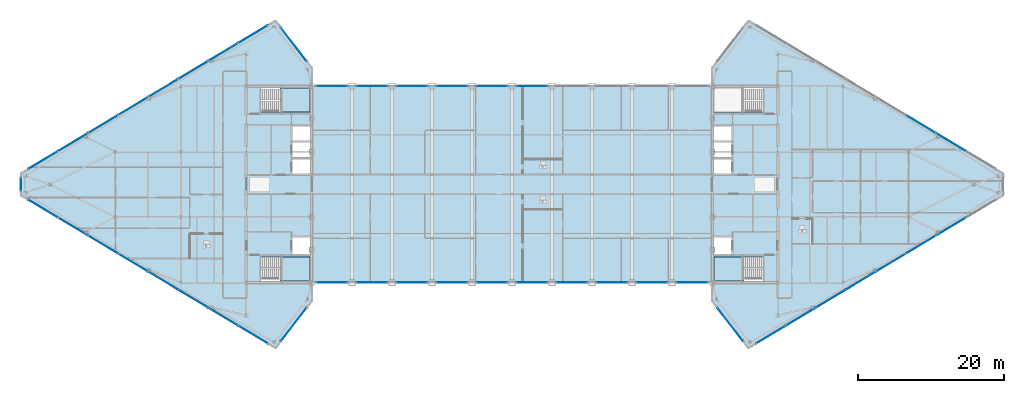
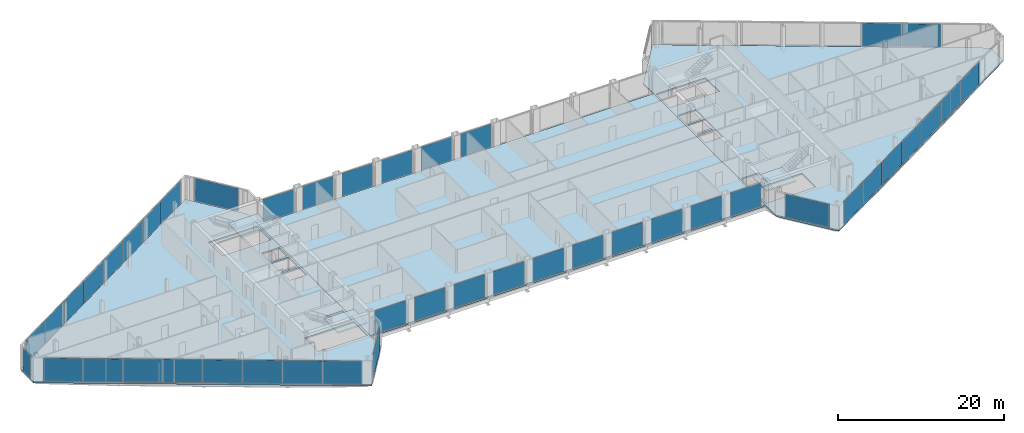
# One storey, part 19 of 29: 45 plates, 6 slabs, 27 elements without a shape of their own.
"""IFC4 building model written with IfcOpenShell, lengths in metres."""

from ifc_helpers import new_model, si_unit, direction, frame, origin, origin_2d, place, context, subcontext, project, spatial, polyline, rectangle, outline, extrude, source, transform, mapped, material, layer, layer_set, type_object, type_shapes, element, aggregate, save


model = new_model("IFC4")

# Units and contexts
model_context = context("Model", 3, precision=1e-05, world=origin(), true_north=direction((0.0, 1.0)))
body_context = subcontext(model_context, "Body", "Model", "MODEL_VIEW")
ifc_project = project(units=[si_unit("LENGTHUNIT", "METRE"), si_unit("AREAUNIT", "SQUARE_METRE"), si_unit("VOLUMEUNIT", "CUBIC_METRE"), si_unit("PLANEANGLEUNIT", "RADIAN"), si_unit("MASSUNIT", "GRAM", prefix="KILO")], contexts=[model_context])

# Site, building, storey
site_placement = place(None, origin())
site = spatial("IfcSite", under=ifc_project, at=site_placement, CompositionType="ELEMENT")
building_placement = place(site_placement, origin())
building = spatial("IfcBuilding", under=site, at=building_placement, Name="Seokmaru Belvedere", CompositionType="ELEMENT")
storey_placement = place(building_placement, frame((0.0, 0.0, 246.89990234375)))
storey = spatial("IfcBuildingStorey", under=building, at=storey_placement, Name="L65", CompositionType="ELEMENT", Elevation=246.89990234375)

# Stair, slab
ifc_material_1 = material(Name="Concrete C40 (40 MPa)", Category="concrete")
stair_type = type_object("IfcStairType", Name="Sky-Gate Residential Core Dog-Leg Stair 3750", PredefinedType="TWO_STRAIGHT_RUN_STAIR", material=ifc_material_1)
stair_1_placement = place(storey_placement, origin())
stair_1 = element("IfcStair", 1, at=stair_1_placement, inside=storey, type_object=stair_type, Name="L65 Special Escape Stair ST-W1", PredefinedType="TWO_STRAIGHT_RUN_STAIR")
ifc_layer_1 = layer(ifc_material_1, 0.199951171875)
ifc_layer_set_1 = layer_set([ifc_layer_1], Name="Concrete C40 (40 MPa)")
slab_type_1 = type_object("IfcSlabType", Name="Reinforced Concrete Stair Landing Slab 200", PredefinedType="LANDING", material=ifc_layer_set_1)
slab_1_placement = place(storey_placement, frame((0.0, 0.0, 1.675048828125)))
slab_1 = element("IfcSlab", 2, at=slab_1_placement, type_object=slab_type_1, Name="ST-W1 landing 1", PredefinedType="LANDING", context=body_context, shape_type="SweptSolid", body=[
    extrude(outline(polyline([(-31.8798828125, -13.239990234375), (-27.760009765625, -13.239990234375), (-27.760009765625, -9.949951171875), (-31.8798828125, -9.949951171875), (-31.8798828125, -13.239990234375)])), origin(), (0.0, 0.0, 1.0), 0.199951171875),
])
aggregate(stair_1, [slab_1])

stair_2_placement = place(storey_placement, origin())
stair_2 = element("IfcStair", 3, at=stair_2_placement, inside=storey, type_object=stair_type, Name="L65 Special Escape Stair ST-W2", PredefinedType="TWO_STRAIGHT_RUN_STAIR")
slab_2_placement = place(storey_placement, frame((0.0, 0.0, 1.675048828125)))
slab_2 = element("IfcSlab", 4, at=slab_2_placement, type_object=slab_type_1, Name="ST-W2 landing 1", PredefinedType="LANDING", context=body_context, shape_type="SweptSolid", body=[
    extrude(outline(polyline([(-31.8798828125, 9.949951171875), (-27.760009765625, 9.949951171875), (-27.760009765625, 13.239990234375), (-31.8798828125, 13.239990234375), (-31.8798828125, 9.949951171875)])), origin(), (0.0, 0.0, 1.0), 0.199951171875),
])
aggregate(stair_2, [slab_2])

stair_3_placement = place(storey_placement, origin())
stair_3 = element("IfcStair", 5, at=stair_3_placement, inside=storey, type_object=stair_type, Name="L65 Special Escape Stair ST-E1", PredefinedType="TWO_STRAIGHT_RUN_STAIR")
slab_3_placement = place(storey_placement, frame((0.0, 0.0, 1.675048828125)))
slab_3 = element("IfcSlab", 6, at=slab_3_placement, type_object=slab_type_1, Name="ST-E1 landing 1", PredefinedType="LANDING", context=body_context, shape_type="SweptSolid", body=[
    extrude(outline(polyline([(27.760009765625, -13.239990234375), (31.8798828125, -13.239990234375), (31.8798828125, -9.949951171875), (27.760009765625, -9.949951171875), (27.760009765625, -13.239990234375)])), origin(), (0.0, 0.0, 1.0), 0.199951171875),
])
aggregate(stair_3, [slab_3])

# Slabs
ifc_layer_2 = layer(ifc_material_1, 0.219970703125)
ifc_layer_set_2 = layer_set([ifc_layer_2], Name="Concrete C40 (40 MPa)")
slab_type_2 = type_object("IfcSlabType", Name="Typical Tower Composite Floor Slab 220", PredefinedType="FLOOR", material=ifc_layer_set_2)
slab_4_placement = place(storey_placement, frame((0.0, 0.0, -0.219970703125)))
element("IfcSlab", 7, at=slab_4_placement, inside=storey, type_object=slab_type_2, Name="L65 West Leg Floor Slab", PredefinedType="FLOOR", context=body_context, shape_type="SweptSolid", body=[
    extrude(outline(polyline([(-27.5, -16.0), (-27.5, 16.0), (-32.5, 22.5), (-67.5, 1.5), (-67.5, -1.5), (-32.5, -22.5), (-27.5, -16.0)]), holes=[polyline([(-34.60009765625, -13.25), (-27.75, -13.25), (-27.75, -9.949951171875), (-34.60009765625, -9.949951171875), (-34.60009765625, -13.25)]), polyline([(-34.60009765625, 9.949951171875), (-27.75, 9.949951171875), (-27.75, 13.25), (-34.60009765625, 13.25), (-34.60009765625, 9.949951171875)]), polyline([(-30.14990234375, -9.550048828125), (-27.75, -9.550048828125), (-27.75, -7.25), (-30.14990234375, -7.25), (-30.14990234375, -9.550048828125)]), polyline([(-30.14990234375, 1.449951171875), (-27.75, 1.449951171875), (-27.75, 3.449951171875), (-30.14990234375, 3.449951171875), (-30.14990234375, 1.449951171875)]), polyline([(-30.14990234375, 3.75), (-27.75, 3.75), (-27.75, 5.75), (-30.14990234375, 5.75), (-30.14990234375, 3.75)]), polyline([(-30.14990234375, 6.050048828125), (-27.75, 6.050048828125), (-27.75, 8.050048828125), (-30.14990234375, 8.050048828125), (-30.14990234375, 6.050048828125)])]), origin(), (0.0, 0.0, 1.0), 0.219970703125),
])
slab_5_placement = place(storey_placement, frame((0.0, 0.0, -0.219970703125)))
element("IfcSlab", 8, at=slab_5_placement, inside=storey, type_object=slab_type_2, Name="L65 East Leg Floor Slab", PredefinedType="FLOOR", context=body_context, shape_type="SweptSolid", body=[
    extrude(outline(polyline([(32.5, -22.5), (67.5, -1.5), (67.5, 1.5), (32.5, 22.5), (27.5, 16.0), (27.5, -16.0), (32.5, -22.5)]), holes=[polyline([(27.75, -13.25), (34.60009765625, -13.25), (34.60009765625, -9.949951171875), (27.75, -9.949951171875), (27.75, -13.25)]), polyline([(27.75, 9.949951171875), (34.60009765625, 9.949951171875), (34.60009765625, 13.25), (27.75, 13.25), (27.75, 9.949951171875)]), polyline([(27.75, -9.550048828125), (30.14990234375, -9.550048828125), (30.14990234375, -7.25), (27.75, -7.25), (27.75, -9.550048828125)]), polyline([(27.75, 1.449951171875), (30.14990234375, 1.449951171875), (30.14990234375, 3.449951171875), (27.75, 3.449951171875), (27.75, 1.449951171875)]), polyline([(27.75, 3.75), (30.14990234375, 3.75), (30.14990234375, 5.75), (27.75, 5.75), (27.75, 3.75)]), polyline([(27.75, 6.050048828125), (30.14990234375, 6.050048828125), (30.14990234375, 8.050048828125), (27.75, 8.050048828125), (27.75, 6.050048828125)])]), origin(), (0.0, 0.0, 1.0), 0.219970703125),
])
slab_6_placement = place(storey_placement, frame((0.0, 0.0, -0.219970703125)))
element("IfcSlab", 9, at=slab_6_placement, inside=storey, type_object=slab_type_2, Name="L65 Sky-Gate Bridge Floor Slab", PredefinedType="FLOOR", context=body_context, shape_type="SweptSolid", body=[
    extrude(outline(polyline([(-27.5, -13.5), (27.5, -13.5), (27.5, 13.5), (-27.5, 13.5), (-27.5, -13.5)])), origin(), (0.0, 0.0, 1.0), 0.219970703125),
])

# Curtain wall, plate
ifc_material_2 = material(Name="Bronze Triple Insulating Glass", Category="glass")
ifc_layer_3 = layer(ifc_material_2, 0.219970703125)
ifc_layer_set_3 = layer_set([ifc_layer_3], Name="Bronze Triple Insulating Glass")
curtain_wall_type = type_object("IfcCurtainWallType", Name="Sky-Gate Bridge Panorama Curtain Wall System CW-6", PredefinedType="NOTDEFINED", material=ifc_layer_set_3)
curtain_wall_1_placement = place(storey_placement, origin())
curtain_wall_1 = element("IfcCurtainWall", 10, at=curtain_wall_1_placement, inside=storey, type_object=curtain_wall_type, Name="L65 Curtain Wall WF2", PredefinedType="NOTDEFINED")
ifc_layer_4 = layer(ifc_material_2, 0.0419921875)
ifc_layer_set_4 = layer_set([ifc_layer_4], Name="Bronze Triple Insulating Glass")
plate_type = type_object("IfcPlateType", Name="Acoustic Laminated Panorama Glazing Panel 42", PredefinedType="CURTAIN_PANEL", material=ifc_layer_set_4)
shared_shape_1 = source(origin(), body_context, "Body", "SweptSolid", [
    extrude(rectangle(XDim=5.740478515625, YDim=0.0419921875, at=origin_2d()), origin(), (0.0, 0.0, 1.0), 3.3798828125),
])
plate_1_placement = place(storey_placement, frame((-30.0, 19.25, 0.0751953125), z_axis=(0.0, 0.0, 1.0), x_axis=(-0.609701187349, 0.792631353244, 0.0)))
plate_1 = element("IfcPlate", 11, at=plate_1_placement, type_object=plate_type, Name="CW:L65:WF2 Glazing Panel 1-1", PredefinedType="CURTAIN_PANEL", context=body_context, shape_type="MappedRepresentation", body=[
    mapped(shared_shape_1, transform((0.0, 0.0, 0.0), scale=1.0)),
])
aggregate(curtain_wall_1, [plate_1])

curtain_wall_2_placement = place(storey_placement, origin())
curtain_wall_2 = element("IfcCurtainWall", 12, at=curtain_wall_2_placement, inside=storey, type_object=curtain_wall_type, Name="L65 Curtain Wall WF6", PredefinedType="NOTDEFINED")
plate_2_placement = place(storey_placement, frame((-30.0, -19.25, 0.0751953125), z_axis=(0.0, 0.0, 1.0), x_axis=(0.609701187349, 0.792631353244, 0.0)))
plate_2 = element("IfcPlate", 13, at=plate_2_placement, type_object=plate_type, Name="CW:L65:WF6 Glazing Panel 1-1", PredefinedType="CURTAIN_PANEL", context=body_context, shape_type="MappedRepresentation", body=[
    mapped(shared_shape_1, transform((0.0, 0.0, 0.0), scale=1.0)),
])
aggregate(curtain_wall_2, [plate_2])

curtain_wall_3_placement = place(storey_placement, origin())
curtain_wall_3 = element("IfcCurtainWall", 14, at=curtain_wall_3_placement, inside=storey, type_object=curtain_wall_type, Name="L65 Curtain Wall EF6", PredefinedType="NOTDEFINED")
plate_3_placement = place(storey_placement, frame((30.0, -19.25, 0.0751953125), z_axis=(0.0, 0.0, 1.0), x_axis=(0.609701187349, -0.792631353244, 0.0)))
plate_3 = element("IfcPlate", 15, at=plate_3_placement, type_object=plate_type, Name="CW:L65:EF6 Glazing Panel 1-1", PredefinedType="CURTAIN_PANEL", context=body_context, shape_type="MappedRepresentation", body=[
    mapped(shared_shape_1, transform((0.0, 0.0, 0.0), scale=1.0)),
])
aggregate(curtain_wall_3, [plate_3])

# Curtain wall, plates
curtain_wall_4_placement = place(storey_placement, origin())
curtain_wall_4 = element("IfcCurtainWall", 16, at=curtain_wall_4_placement, inside=storey, type_object=curtain_wall_type, Name="L65 Curtain Wall WF3", PredefinedType="NOTDEFINED")
shared_shape_2 = source(origin(), body_context, "Body", "SweptSolid", [
    extrude(rectangle(XDim=4.694580078125, YDim=0.0419921875, at=origin_2d()), origin(), (0.0, 0.0, 1.0), 3.3798828125),
])
plate_4_placement = place(storey_placement, frame((-35.5673828125, 20.659423828125, 0.0751953125), z_axis=(0.0, 0.0, 1.0), x_axis=(-0.85749343335, -0.514494909364, 0.0)))
plate_4 = element("IfcPlate", 17, at=plate_4_placement, type_object=plate_type, Name="CW:L65:WF3 Glazing Panel 1-1", PredefinedType="CURTAIN_PANEL", context=body_context, shape_type="MappedRepresentation", body=[
    mapped(shared_shape_2, transform((0.0, 0.0, 0.0), scale=1.0)),
])
plate_5_placement = place(storey_placement, frame((-64.4326171875, 3.340576171875, 0.0751953125), z_axis=(0.0, 0.0, 1.0), x_axis=(-0.85749343335, -0.514494909364, 0.0)))
plate_5 = element("IfcPlate", 18, at=plate_5_placement, type_object=plate_type, Name="CW:L65:WF3 Glazing Panel 8-1", PredefinedType="CURTAIN_PANEL", context=body_context, shape_type="MappedRepresentation", body=[
    mapped(shared_shape_2, transform((0.0, 0.0, 0.0), scale=1.0)),
])

curtain_wall_5_placement = place(storey_placement, origin())
curtain_wall_5 = element("IfcCurtainWall", 19, at=curtain_wall_5_placement, inside=storey, type_object=curtain_wall_type, Name="L65 Curtain Wall WF5", PredefinedType="NOTDEFINED")
plate_6_placement = place(storey_placement, frame((-64.4326171875, -3.340576171875, 0.0751953125), z_axis=(0.0, 0.0, 1.0), x_axis=(0.85749343335, -0.514494909364, 0.0)))
plate_6 = element("IfcPlate", 20, at=plate_6_placement, type_object=plate_type, Name="CW:L65:WF5 Glazing Panel 1-1", PredefinedType="CURTAIN_PANEL", context=body_context, shape_type="MappedRepresentation", body=[
    mapped(shared_shape_2, transform((0.0, 0.0, 0.0), scale=1.0)),
])
plate_7_placement = place(storey_placement, frame((-35.5673828125, -20.659423828125, 0.0751953125), z_axis=(0.0, 0.0, 1.0), x_axis=(0.85749343335, -0.514494909364, 0.0)))
plate_7 = element("IfcPlate", 21, at=plate_7_placement, type_object=plate_type, Name="CW:L65:WF5 Glazing Panel 8-1", PredefinedType="CURTAIN_PANEL", context=body_context, shape_type="MappedRepresentation", body=[
    mapped(shared_shape_2, transform((0.0, 0.0, 0.0), scale=1.0)),
])

# Curtain wall, plate
curtain_wall_6_placement = place(storey_placement, origin())
curtain_wall_6 = element("IfcCurtainWall", 22, at=curtain_wall_6_placement, inside=storey, type_object=curtain_wall_type, Name="L65 Curtain Wall EF1", PredefinedType="NOTDEFINED")
plate_8_placement = place(storey_placement, frame((35.5673828125, -20.659423828125, 0.0751953125), z_axis=(0.0, 0.0, 1.0), x_axis=(0.85749343335, 0.514494909364, 0.0)))
plate_8 = element("IfcPlate", 23, at=plate_8_placement, type_object=plate_type, Name="CW:L65:EF1 Glazing Panel 1-1", PredefinedType="CURTAIN_PANEL", context=body_context, shape_type="MappedRepresentation", body=[
    mapped(shared_shape_2, transform((0.0, 0.0, 0.0), scale=1.0)),
])

# Plate
shared_shape_3 = source(origin(), body_context, "Body", "SweptSolid", [
    extrude(rectangle(XDim=4.734619140625, YDim=0.0419921875, at=origin_2d()), origin(), (0.0, 0.0, 1.0), 3.3798828125),
])
plate_9_placement = place(storey_placement, frame((-39.6787109375, 18.192626953125, 0.0751953125), z_axis=(0.0, 0.0, 1.0), x_axis=(-0.85749343335, -0.514494909364, 0.0)))
plate_9 = element("IfcPlate", 24, at=plate_9_placement, type_object=plate_type, Name="CW:L65:WF3 Glazing Panel 2-1", PredefinedType="CURTAIN_PANEL", context=body_context, shape_type="MappedRepresentation", body=[
    mapped(shared_shape_3, transform((0.0, 0.0, 0.0), scale=1.0)),
])

plate_10_placement = place(storey_placement, frame((-43.807373046875, 15.715576171875, 0.0751953125), z_axis=(0.0, 0.0, 1.0), x_axis=(-0.85749343335, -0.514494909364, 0.0)))
plate_10 = element("IfcPlate", 25, at=plate_10_placement, type_object=plate_type, Name="CW:L65:WF3 Glazing Panel 3-1", PredefinedType="CURTAIN_PANEL", context=body_context, shape_type="MappedRepresentation", body=[
    mapped(shared_shape_3, transform((0.0, 0.0, 0.0), scale=1.0)),
])

plate_11_placement = place(storey_placement, frame((-47.935791015625, 13.238525390625, 0.0751953125), z_axis=(0.0, 0.0, 1.0), x_axis=(-0.85749343335, -0.514494909364, 0.0)))
plate_11 = element("IfcPlate", 26, at=plate_11_placement, type_object=plate_type, Name="CW:L65:WF3 Glazing Panel 4-1", PredefinedType="CURTAIN_PANEL", context=body_context, shape_type="MappedRepresentation", body=[
    mapped(shared_shape_3, transform((0.0, 0.0, 0.0), scale=1.0)),
])

plate_12_placement = place(storey_placement, frame((-52.064208984375, 10.761474609375, 0.0751953125), z_axis=(0.0, 0.0, 1.0), x_axis=(-0.85749343335, -0.514494909364, 0.0)))
plate_12 = element("IfcPlate", 27, at=plate_12_placement, type_object=plate_type, Name="CW:L65:WF3 Glazing Panel 5-1", PredefinedType="CURTAIN_PANEL", context=body_context, shape_type="MappedRepresentation", body=[
    mapped(shared_shape_3, transform((0.0, 0.0, 0.0), scale=1.0)),
])

plate_13_placement = place(storey_placement, frame((-56.192626953125, 8.284423828125, 0.0751953125), z_axis=(0.0, 0.0, 1.0), x_axis=(-0.85749343335, -0.514494909364, 0.0)))
plate_13 = element("IfcPlate", 28, at=plate_13_placement, type_object=plate_type, Name="CW:L65:WF3 Glazing Panel 6-1", PredefinedType="CURTAIN_PANEL", context=body_context, shape_type="MappedRepresentation", body=[
    mapped(shared_shape_3, transform((0.0, 0.0, 0.0), scale=1.0)),
])

plate_14_placement = place(storey_placement, frame((-60.3212890625, 5.807373046875, 0.0751953125), z_axis=(0.0, 0.0, 1.0), x_axis=(-0.85749343335, -0.514494909364, 0.0)))
plate_14 = element("IfcPlate", 29, at=plate_14_placement, type_object=plate_type, Name="CW:L65:WF3 Glazing Panel 7-1", PredefinedType="CURTAIN_PANEL", context=body_context, shape_type="MappedRepresentation", body=[
    mapped(shared_shape_3, transform((0.0, 0.0, 0.0), scale=1.0)),
])

aggregate(curtain_wall_4, [plate_4, plate_9, plate_10, plate_11, plate_12, plate_13, plate_14, plate_5])

plate_15_placement = place(storey_placement, frame((-60.3212890625, -5.807373046875, 0.0751953125), z_axis=(0.0, 0.0, 1.0), x_axis=(0.85749343335, -0.514494909364, 0.0)))
plate_15 = element("IfcPlate", 30, at=plate_15_placement, type_object=plate_type, Name="CW:L65:WF5 Glazing Panel 2-1", PredefinedType="CURTAIN_PANEL", context=body_context, shape_type="MappedRepresentation", body=[
    mapped(shared_shape_3, transform((0.0, 0.0, 0.0), scale=1.0)),
])

plate_16_placement = place(storey_placement, frame((-56.192626953125, -8.284423828125, 0.0751953125), z_axis=(0.0, 0.0, 1.0), x_axis=(0.85749343335, -0.514494909364, 0.0)))
plate_16 = element("IfcPlate", 31, at=plate_16_placement, type_object=plate_type, Name="CW:L65:WF5 Glazing Panel 3-1", PredefinedType="CURTAIN_PANEL", context=body_context, shape_type="MappedRepresentation", body=[
    mapped(shared_shape_3, transform((0.0, 0.0, 0.0), scale=1.0)),
])

plate_17_placement = place(storey_placement, frame((-52.064208984375, -10.761474609375, 0.0751953125), z_axis=(0.0, 0.0, 1.0), x_axis=(0.85749343335, -0.514494909364, 0.0)))
plate_17 = element("IfcPlate", 32, at=plate_17_placement, type_object=plate_type, Name="CW:L65:WF5 Glazing Panel 4-1", PredefinedType="CURTAIN_PANEL", context=body_context, shape_type="MappedRepresentation", body=[
    mapped(shared_shape_3, transform((0.0, 0.0, 0.0), scale=1.0)),
])

plate_18_placement = place(storey_placement, frame((-47.935791015625, -13.238525390625, 0.0751953125), z_axis=(0.0, 0.0, 1.0), x_axis=(0.85749343335, -0.514494909364, 0.0)))
plate_18 = element("IfcPlate", 33, at=plate_18_placement, type_object=plate_type, Name="CW:L65:WF5 Glazing Panel 5-1", PredefinedType="CURTAIN_PANEL", context=body_context, shape_type="MappedRepresentation", body=[
    mapped(shared_shape_3, transform((0.0, 0.0, 0.0), scale=1.0)),
])

plate_19_placement = place(storey_placement, frame((-43.807373046875, -15.715576171875, 0.0751953125), z_axis=(0.0, 0.0, 1.0), x_axis=(0.85749343335, -0.514494909364, 0.0)))
plate_19 = element("IfcPlate", 34, at=plate_19_placement, type_object=plate_type, Name="CW:L65:WF5 Glazing Panel 6-1", PredefinedType="CURTAIN_PANEL", context=body_context, shape_type="MappedRepresentation", body=[
    mapped(shared_shape_3, transform((0.0, 0.0, 0.0), scale=1.0)),
])

plate_20_placement = place(storey_placement, frame((-39.6787109375, -18.192626953125, 0.0751953125), z_axis=(0.0, 0.0, 1.0), x_axis=(0.85749343335, -0.514494909364, 0.0)))
plate_20 = element("IfcPlate", 35, at=plate_20_placement, type_object=plate_type, Name="CW:L65:WF5 Glazing Panel 7-1", PredefinedType="CURTAIN_PANEL", context=body_context, shape_type="MappedRepresentation", body=[
    mapped(shared_shape_3, transform((0.0, 0.0, 0.0), scale=1.0)),
])

aggregate(curtain_wall_5, [plate_6, plate_15, plate_16, plate_17, plate_18, plate_19, plate_20, plate_7])

plate_21_placement = place(storey_placement, frame((39.6787109375, -18.192626953125, 0.0751953125), z_axis=(0.0, 0.0, 1.0), x_axis=(0.85749343335, 0.514494909364, 0.0)))
plate_21 = element("IfcPlate", 36, at=plate_21_placement, type_object=plate_type, Name="CW:L65:EF1 Glazing Panel 2-1", PredefinedType="CURTAIN_PANEL", context=body_context, shape_type="MappedRepresentation", body=[
    mapped(shared_shape_3, transform((0.0, 0.0, 0.0), scale=1.0)),
])

plate_22_placement = place(storey_placement, frame((43.807373046875, -15.715576171875, 0.0751953125), z_axis=(0.0, 0.0, 1.0), x_axis=(0.85749343335, 0.514494909364, 0.0)))
plate_22 = element("IfcPlate", 37, at=plate_22_placement, type_object=plate_type, Name="CW:L65:EF1 Glazing Panel 3-1", PredefinedType="CURTAIN_PANEL", context=body_context, shape_type="MappedRepresentation", body=[
    mapped(shared_shape_3, transform((0.0, 0.0, 0.0), scale=1.0)),
])

plate_23_placement = place(storey_placement, frame((47.935791015625, -13.238525390625, 0.0751953125), z_axis=(0.0, 0.0, 1.0), x_axis=(0.85749343335, 0.514494909364, 0.0)))
plate_23 = element("IfcPlate", 38, at=plate_23_placement, type_object=plate_type, Name="CW:L65:EF1 Glazing Panel 4-1", PredefinedType="CURTAIN_PANEL", context=body_context, shape_type="MappedRepresentation", body=[
    mapped(shared_shape_3, transform((0.0, 0.0, 0.0), scale=1.0)),
])

plate_24_placement = place(storey_placement, frame((52.064208984375, -10.761474609375, 0.0751953125), z_axis=(0.0, 0.0, 1.0), x_axis=(0.85749343335, 0.514494909364, 0.0)))
plate_24 = element("IfcPlate", 39, at=plate_24_placement, type_object=plate_type, Name="CW:L65:EF1 Glazing Panel 5-1", PredefinedType="CURTAIN_PANEL", context=body_context, shape_type="MappedRepresentation", body=[
    mapped(shared_shape_3, transform((0.0, 0.0, 0.0), scale=1.0)),
])

plate_25_placement = place(storey_placement, frame((56.192626953125, -8.284423828125, 0.0751953125), z_axis=(0.0, 0.0, 1.0), x_axis=(0.85749343335, 0.514494909364, 0.0)))
plate_25 = element("IfcPlate", 40, at=plate_25_placement, type_object=plate_type, Name="CW:L65:EF1 Glazing Panel 6-1", PredefinedType="CURTAIN_PANEL", context=body_context, shape_type="MappedRepresentation", body=[
    mapped(shared_shape_3, transform((0.0, 0.0, 0.0), scale=1.0)),
])

plate_26_placement = place(storey_placement, frame((60.3212890625, -5.807373046875, 0.0751953125), z_axis=(0.0, 0.0, 1.0), x_axis=(0.85749343335, 0.514494909364, 0.0)))
plate_26 = element("IfcPlate", 41, at=plate_26_placement, type_object=plate_type, Name="CW:L65:EF1 Glazing Panel 7-1", PredefinedType="CURTAIN_PANEL", context=body_context, shape_type="MappedRepresentation", body=[
    mapped(shared_shape_3, transform((0.0, 0.0, 0.0), scale=1.0)),
])

aggregate(curtain_wall_6, [plate_8, plate_21, plate_22, plate_23, plate_24, plate_25, plate_26])

# Curtain wall, plates
curtain_wall_7_placement = place(storey_placement, origin())
curtain_wall_7 = element("IfcCurtainWall", 42, at=curtain_wall_7_placement, inside=storey, type_object=curtain_wall_type, Name="L65 Curtain Wall EF3", PredefinedType="NOTDEFINED")
plate_27_placement = place(storey_placement, frame((60.3212890625, 5.807373046875, 0.0751953125), z_axis=(0.0, 0.0, 1.0), x_axis=(-0.85749343335, 0.514494909364, 0.0)))
plate_27 = element("IfcPlate", 43, at=plate_27_placement, type_object=plate_type, Name="CW:L65:EF3 Glazing Panel 2-1", PredefinedType="CURTAIN_PANEL", context=body_context, shape_type="MappedRepresentation", body=[
    mapped(shared_shape_3, transform((0.0, 0.0, 0.0), scale=1.0)),
])
plate_28_placement = place(storey_placement, frame((56.192626953125, 8.284423828125, 0.0751953125), z_axis=(0.0, 0.0, 1.0), x_axis=(-0.85749343335, 0.514494909364, 0.0)))
plate_28 = element("IfcPlate", 44, at=plate_28_placement, type_object=plate_type, Name="CW:L65:EF3 Glazing Panel 3-1", PredefinedType="CURTAIN_PANEL", context=body_context, shape_type="MappedRepresentation", body=[
    mapped(shared_shape_3, transform((0.0, 0.0, 0.0), scale=1.0)),
])
aggregate(curtain_wall_7, [plate_27, plate_28])

# Curtain wall, plate
curtain_wall_8_placement = place(storey_placement, origin())
curtain_wall_8 = element("IfcCurtainWall", 45, at=curtain_wall_8_placement, inside=storey, type_object=curtain_wall_type, Name="L65 Curtain Wall WF4", PredefinedType="NOTDEFINED")
shared_shape_4 = source(origin(), body_context, "Body", "SweptSolid", [
    extrude(rectangle(XDim=1.739990234375, YDim=0.0419921875, at=origin_2d()), origin(), (0.0, 0.0, 1.0), 3.3798828125),
])
plate_29_placement = place(storey_placement, frame((-67.5, 0.0, 0.0751953125), z_axis=(0.0, 0.0, 1.0), x_axis=(0.0, -1.0, 0.0)))
plate_29 = element("IfcPlate", 46, at=plate_29_placement, type_object=plate_type, Name="CW:L65:WF4 Glazing Panel 1-1", PredefinedType="CURTAIN_PANEL", context=body_context, shape_type="MappedRepresentation", body=[
    mapped(shared_shape_4, transform((0.0, 0.0, 0.0), scale=1.0)),
])
aggregate(curtain_wall_8, [plate_29])

curtain_wall_9_placement = place(storey_placement, origin())
curtain_wall_9 = element("IfcCurtainWall", 47, at=curtain_wall_9_placement, inside=storey, type_object=curtain_wall_type, Name="L65 Curtain Wall BR_S01", PredefinedType="NOTDEFINED")
shared_shape_5 = source(origin(), body_context, "Body", "SweptSolid", [
    extrude(rectangle(XDim=4.239990234375, YDim=0.0419921875, at=origin_2d()), origin(), (0.0, 0.0, 1.0), 3.3798828125),
])
type_shapes(plate_type, [shared_shape_1, shared_shape_2, shared_shape_3, shared_shape_4, shared_shape_5])
plate_30_placement = place(storey_placement, frame((-24.75, -13.5, 0.0751953125), z_axis=(0.0, 0.0, 1.0), x_axis=(1.0, 0.0, 0.0)))
plate_30 = element("IfcPlate", 48, at=plate_30_placement, type_object=plate_type, Name="CW:L65:BR_S01 Glazing Panel 1-1", PredefinedType="CURTAIN_PANEL", context=body_context, shape_type="MappedRepresentation", body=[
    mapped(shared_shape_5, transform((0.0, 0.0, 0.0), scale=1.0)),
])
aggregate(curtain_wall_9, [plate_30])

curtain_wall_10_placement = place(storey_placement, origin())
curtain_wall_10 = element("IfcCurtainWall", 49, at=curtain_wall_10_placement, inside=storey, type_object=curtain_wall_type, Name="L65 Curtain Wall BR_N01", PredefinedType="NOTDEFINED")
plate_31_placement = place(storey_placement, frame((-24.75, 13.5, 0.0751953125), z_axis=(0.0, 0.0, 1.0), x_axis=(-1.0, 0.0, 0.0)))
plate_31 = element("IfcPlate", 50, at=plate_31_placement, type_object=plate_type, Name="CW:L65:BR_N01 Glazing Panel 1-1", PredefinedType="CURTAIN_PANEL", context=body_context, shape_type="MappedRepresentation", body=[
    mapped(shared_shape_5, transform((0.0, 0.0, 0.0), scale=1.0)),
])
aggregate(curtain_wall_10, [plate_31])

curtain_wall_11_placement = place(storey_placement, origin())
curtain_wall_11 = element("IfcCurtainWall", 51, at=curtain_wall_11_placement, inside=storey, type_object=curtain_wall_type, Name="L65 Curtain Wall BR_S02", PredefinedType="NOTDEFINED")
plate_32_placement = place(storey_placement, frame((-19.25, -13.5, 0.0751953125), z_axis=(0.0, 0.0, 1.0), x_axis=(1.0, 0.0, 0.0)))
plate_32 = element("IfcPlate", 52, at=plate_32_placement, type_object=plate_type, Name="CW:L65:BR_S02 Glazing Panel 1-1", PredefinedType="CURTAIN_PANEL", context=body_context, shape_type="MappedRepresentation", body=[
    mapped(shared_shape_5, transform((0.0, 0.0, 0.0), scale=1.0)),
])
aggregate(curtain_wall_11, [plate_32])

curtain_wall_12_placement = place(storey_placement, origin())
curtain_wall_12 = element("IfcCurtainWall", 53, at=curtain_wall_12_placement, inside=storey, type_object=curtain_wall_type, Name="L65 Curtain Wall BR_N02", PredefinedType="NOTDEFINED")
plate_33_placement = place(storey_placement, frame((-19.25, 13.5, 0.0751953125), z_axis=(0.0, 0.0, 1.0), x_axis=(-1.0, 0.0, 0.0)))
plate_33 = element("IfcPlate", 54, at=plate_33_placement, type_object=plate_type, Name="CW:L65:BR_N02 Glazing Panel 1-1", PredefinedType="CURTAIN_PANEL", context=body_context, shape_type="MappedRepresentation", body=[
    mapped(shared_shape_5, transform((0.0, 0.0, 0.0), scale=1.0)),
])
aggregate(curtain_wall_12, [plate_33])

curtain_wall_13_placement = place(storey_placement, origin())
curtain_wall_13 = element("IfcCurtainWall", 55, at=curtain_wall_13_placement, inside=storey, type_object=curtain_wall_type, Name="L65 Curtain Wall BR_S03", PredefinedType="NOTDEFINED")
plate_34_placement = place(storey_placement, frame((-13.75, -13.5, 0.0751953125), z_axis=(0.0, 0.0, 1.0), x_axis=(1.0, 0.0, 0.0)))
plate_34 = element("IfcPlate", 56, at=plate_34_placement, type_object=plate_type, Name="CW:L65:BR_S03 Glazing Panel 1-1", PredefinedType="CURTAIN_PANEL", context=body_context, shape_type="MappedRepresentation", body=[
    mapped(shared_shape_5, transform((0.0, 0.0, 0.0), scale=1.0)),
])
aggregate(curtain_wall_13, [plate_34])

curtain_wall_14_placement = place(storey_placement, origin())
curtain_wall_14 = element("IfcCurtainWall", 57, at=curtain_wall_14_placement, inside=storey, type_object=curtain_wall_type, Name="L65 Curtain Wall BR_N03", PredefinedType="NOTDEFINED")
plate_35_placement = place(storey_placement, frame((-13.75, 13.5, 0.0751953125), z_axis=(0.0, 0.0, 1.0), x_axis=(-1.0, 0.0, 0.0)))
plate_35 = element("IfcPlate", 58, at=plate_35_placement, type_object=plate_type, Name="CW:L65:BR_N03 Glazing Panel 1-1", PredefinedType="CURTAIN_PANEL", context=body_context, shape_type="MappedRepresentation", body=[
    mapped(shared_shape_5, transform((0.0, 0.0, 0.0), scale=1.0)),
])
aggregate(curtain_wall_14, [plate_35])

curtain_wall_15_placement = place(storey_placement, origin())
curtain_wall_15 = element("IfcCurtainWall", 59, at=curtain_wall_15_placement, inside=storey, type_object=curtain_wall_type, Name="L65 Curtain Wall BR_S04", PredefinedType="NOTDEFINED")
plate_36_placement = place(storey_placement, frame((-8.25, -13.5, 0.0751953125), z_axis=(0.0, 0.0, 1.0), x_axis=(1.0, 0.0, 0.0)))
plate_36 = element("IfcPlate", 60, at=plate_36_placement, type_object=plate_type, Name="CW:L65:BR_S04 Glazing Panel 1-1", PredefinedType="CURTAIN_PANEL", context=body_context, shape_type="MappedRepresentation", body=[
    mapped(shared_shape_5, transform((0.0, 0.0, 0.0), scale=1.0)),
])
aggregate(curtain_wall_15, [plate_36])

curtain_wall_16_placement = place(storey_placement, origin())
curtain_wall_16 = element("IfcCurtainWall", 61, at=curtain_wall_16_placement, inside=storey, type_object=curtain_wall_type, Name="L65 Curtain Wall BR_N04", PredefinedType="NOTDEFINED")
plate_37_placement = place(storey_placement, frame((-8.25, 13.5, 0.0751953125), z_axis=(0.0, 0.0, 1.0), x_axis=(-1.0, 0.0, 0.0)))
plate_37 = element("IfcPlate", 62, at=plate_37_placement, type_object=plate_type, Name="CW:L65:BR_N04 Glazing Panel 1-1", PredefinedType="CURTAIN_PANEL", context=body_context, shape_type="MappedRepresentation", body=[
    mapped(shared_shape_5, transform((0.0, 0.0, 0.0), scale=1.0)),
])
aggregate(curtain_wall_16, [plate_37])

curtain_wall_17_placement = place(storey_placement, origin())
curtain_wall_17 = element("IfcCurtainWall", 63, at=curtain_wall_17_placement, inside=storey, type_object=curtain_wall_type, Name="L65 Curtain Wall BR_S05", PredefinedType="NOTDEFINED")
plate_38_placement = place(storey_placement, frame((-2.75, -13.5, 0.0751953125), z_axis=(0.0, 0.0, 1.0), x_axis=(1.0, 0.0, 0.0)))
plate_38 = element("IfcPlate", 64, at=plate_38_placement, type_object=plate_type, Name="CW:L65:BR_S05 Glazing Panel 1-1", PredefinedType="CURTAIN_PANEL", context=body_context, shape_type="MappedRepresentation", body=[
    mapped(shared_shape_5, transform((0.0, 0.0, 0.0), scale=1.0)),
])
aggregate(curtain_wall_17, [plate_38])

curtain_wall_18_placement = place(storey_placement, origin())
curtain_wall_18 = element("IfcCurtainWall", 65, at=curtain_wall_18_placement, inside=storey, type_object=curtain_wall_type, Name="L65 Curtain Wall BR_N05", PredefinedType="NOTDEFINED")
plate_39_placement = place(storey_placement, frame((-2.75, 13.5, 0.0751953125), z_axis=(0.0, 0.0, 1.0), x_axis=(-1.0, 0.0, 0.0)))
plate_39 = element("IfcPlate", 66, at=plate_39_placement, type_object=plate_type, Name="CW:L65:BR_N05 Glazing Panel 1-1", PredefinedType="CURTAIN_PANEL", context=body_context, shape_type="MappedRepresentation", body=[
    mapped(shared_shape_5, transform((0.0, 0.0, 0.0), scale=1.0)),
])
aggregate(curtain_wall_18, [plate_39])

curtain_wall_19_placement = place(storey_placement, origin())
curtain_wall_19 = element("IfcCurtainWall", 67, at=curtain_wall_19_placement, inside=storey, type_object=curtain_wall_type, Name="L65 Curtain Wall BR_S06", PredefinedType="NOTDEFINED")
plate_40_placement = place(storey_placement, frame((2.75, -13.5, 0.0751953125), z_axis=(0.0, 0.0, 1.0), x_axis=(1.0, 0.0, 0.0)))
plate_40 = element("IfcPlate", 68, at=plate_40_placement, type_object=plate_type, Name="CW:L65:BR_S06 Glazing Panel 1-1", PredefinedType="CURTAIN_PANEL", context=body_context, shape_type="MappedRepresentation", body=[
    mapped(shared_shape_5, transform((0.0, 0.0, 0.0), scale=1.0)),
])
aggregate(curtain_wall_19, [plate_40])

curtain_wall_20_placement = place(storey_placement, origin())
curtain_wall_20 = element("IfcCurtainWall", 69, at=curtain_wall_20_placement, inside=storey, type_object=curtain_wall_type, Name="L65 Curtain Wall BR_N06", PredefinedType="NOTDEFINED")
plate_41_placement = place(storey_placement, frame((2.75, 13.5, 0.0751953125), z_axis=(0.0, 0.0, 1.0), x_axis=(-1.0, 0.0, 0.0)))
plate_41 = element("IfcPlate", 70, at=plate_41_placement, type_object=plate_type, Name="CW:L65:BR_N06 Glazing Panel 1-1", PredefinedType="CURTAIN_PANEL", context=body_context, shape_type="MappedRepresentation", body=[
    mapped(shared_shape_5, transform((0.0, 0.0, 0.0), scale=1.0)),
])
aggregate(curtain_wall_20, [plate_41])

curtain_wall_21_placement = place(storey_placement, origin())
curtain_wall_21 = element("IfcCurtainWall", 71, at=curtain_wall_21_placement, inside=storey, type_object=curtain_wall_type, Name="L65 Curtain Wall BR_S07", PredefinedType="NOTDEFINED")
plate_42_placement = place(storey_placement, frame((8.25, -13.5, 0.0751953125), z_axis=(0.0, 0.0, 1.0), x_axis=(1.0, 0.0, 0.0)))
plate_42 = element("IfcPlate", 72, at=plate_42_placement, type_object=plate_type, Name="CW:L65:BR_S07 Glazing Panel 1-1", PredefinedType="CURTAIN_PANEL", context=body_context, shape_type="MappedRepresentation", body=[
    mapped(shared_shape_5, transform((0.0, 0.0, 0.0), scale=1.0)),
])
aggregate(curtain_wall_21, [plate_42])

curtain_wall_22_placement = place(storey_placement, origin())
curtain_wall_22 = element("IfcCurtainWall", 73, at=curtain_wall_22_placement, inside=storey, type_object=curtain_wall_type, Name="L65 Curtain Wall BR_S08", PredefinedType="NOTDEFINED")
plate_43_placement = place(storey_placement, frame((13.75, -13.5, 0.0751953125), z_axis=(0.0, 0.0, 1.0), x_axis=(1.0, 0.0, 0.0)))
plate_43 = element("IfcPlate", 74, at=plate_43_placement, type_object=plate_type, Name="CW:L65:BR_S08 Glazing Panel 1-1", PredefinedType="CURTAIN_PANEL", context=body_context, shape_type="MappedRepresentation", body=[
    mapped(shared_shape_5, transform((0.0, 0.0, 0.0), scale=1.0)),
])
aggregate(curtain_wall_22, [plate_43])

curtain_wall_23_placement = place(storey_placement, origin())
curtain_wall_23 = element("IfcCurtainWall", 75, at=curtain_wall_23_placement, inside=storey, type_object=curtain_wall_type, Name="L65 Curtain Wall BR_S09", PredefinedType="NOTDEFINED")
plate_44_placement = place(storey_placement, frame((19.25, -13.5, 0.0751953125), z_axis=(0.0, 0.0, 1.0), x_axis=(1.0, 0.0, 0.0)))
plate_44 = element("IfcPlate", 76, at=plate_44_placement, type_object=plate_type, Name="CW:L65:BR_S09 Glazing Panel 1-1", PredefinedType="CURTAIN_PANEL", context=body_context, shape_type="MappedRepresentation", body=[
    mapped(shared_shape_5, transform((0.0, 0.0, 0.0), scale=1.0)),
])
aggregate(curtain_wall_23, [plate_44])

curtain_wall_24_placement = place(storey_placement, origin())
curtain_wall_24 = element("IfcCurtainWall", 77, at=curtain_wall_24_placement, inside=storey, type_object=curtain_wall_type, Name="L65 Curtain Wall BR_S10", PredefinedType="NOTDEFINED")
plate_45_placement = place(storey_placement, frame((24.75, -13.5, 0.0751953125), z_axis=(0.0, 0.0, 1.0), x_axis=(1.0, 0.0, 0.0)))
plate_45 = element("IfcPlate", 78, at=plate_45_placement, type_object=plate_type, Name="CW:L65:BR_S10 Glazing Panel 1-1", PredefinedType="CURTAIN_PANEL", context=body_context, shape_type="MappedRepresentation", body=[
    mapped(shared_shape_5, transform((0.0, 0.0, 0.0), scale=1.0)),
])
aggregate(curtain_wall_24, [plate_45])

save(model, "model.ifc")
